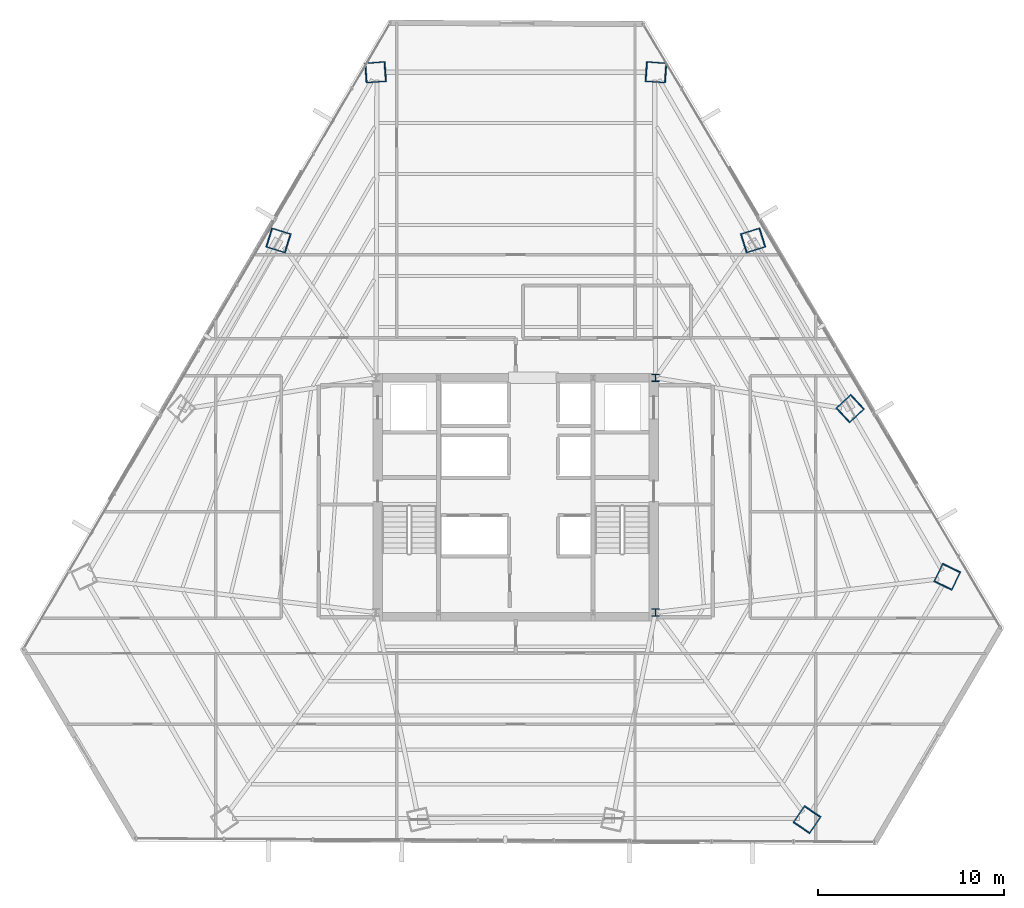
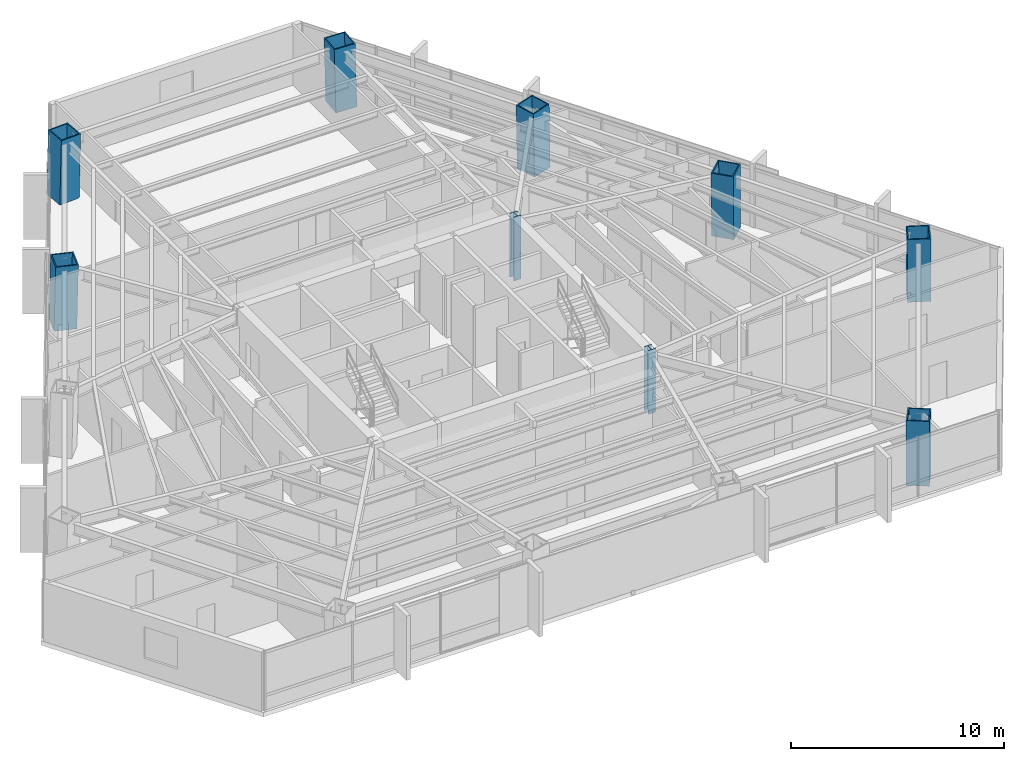
# One storey, part 3 of 37: 9 columns.
"""IFC4 building model written with IfcOpenShell, lengths in metres."""

from ifc_helpers import new_model, si_unit, direction, frame, origin, origin_2d, place, context, subcontext, project, spatial, hollow_rectangle, i_section, extrude, source, transform, mapped, material, material_profile, profile_set, type_object, type_shapes, element, save


model = new_model("IFC4")

# Units and contexts
model_context = context("Model", 3, precision=1e-05, world=origin(), true_north=direction((0.0, 1.0)))
body_context = subcontext(model_context, "Body", "Model", "MODEL_VIEW")
ifc_project = project(units=[si_unit("LENGTHUNIT", "METRE"), si_unit("AREAUNIT", "SQUARE_METRE"), si_unit("VOLUMEUNIT", "CUBIC_METRE"), si_unit("PLANEANGLEUNIT", "RADIAN"), si_unit("MASSUNIT", "GRAM", prefix="KILO")], contexts=[model_context])

# Site, building, storey
site_placement = place(None, origin())
site = spatial("IfcSite", under=ifc_project, at=site_placement, CompositionType="ELEMENT")
building_placement = place(site_placement, origin())
building = spatial("IfcBuilding", under=site, at=building_placement, Name="Caelisora Broadcast Tower", CompositionType="ELEMENT")
storey_placement = place(building_placement, frame((0.0, 0.0, 101.75)))
storey = spatial("IfcBuildingStorey", under=building, at=storey_placement, Name="L26", CompositionType="ELEMENT", Elevation=101.75)

# Columns
ifc_material_1 = material(Name="Steel Grade 350 (AS/NZS 3679.2)", Category="steel")
ifc_material_profile_1 = material_profile(ifc_material_1, i_section(OverallWidth=0.39990234375, OverallDepth=0.39990234375, WebThickness=0.02001953125, FlangeThickness=0.031982421875, at=origin_2d()), Name="Steel Grade 350 (AS/NZS 3679.2)")
ifc_profile_set_1 = profile_set([ifc_material_profile_1], Name="Steel Grade 350 (AS/NZS 3679.2)")
column_type_1 = type_object("IfcColumnType", Name="CC02", PredefinedType="COLUMN", material=ifc_profile_set_1)
shared_shape_1 = source(origin(), body_context, "Body", "SweptSolid", [
    extrude(i_section(OverallWidth=0.39990234375, OverallDepth=0.39990234375, WebThickness=0.02001953125, FlangeThickness=0.031982421875, at=origin_2d()), origin(), (0.0, 0.0, 1.0), 3.64990234375),
])
type_shapes(column_type_1, [shared_shape_1])
for number, where, z_axis, x_axis, name in (
    (1, (45.5, 17.39990234375, 0.0), (0.0, 0.0, 1.0), (1.0, 0.0, 0.0), "L26 column CC02"),
    (2, (45.5, 30.0, 0.0), (0.0, 0.0, 1.0), (1.0, 0.0, 0.0), "L26 column CC02"),
):
    element("IfcColumn", number, at=place(storey_placement, frame(where, z_axis=z_axis, x_axis=x_axis)), inside=storey, type_object=column_type_1, Name=name, PredefinedType="COLUMN", context=body_context, shape_type="MappedRepresentation", body=[
        mapped(shared_shape_1, transform((0.0, 0.0, 0.0), scale=1.0)),
    ])
ifc_material_2 = material(Name="Steel Grade 350 L15 (AS/NZS 3678)", Category="steel")
ifc_material_profile_2 = material_profile(ifc_material_2, hollow_rectangle(XDim=1.10009765625, YDim=1.10009765625, WallThickness=0.06005859375, at=origin_2d()), Name="Steel Grade 350 L15 (AS/NZS 3678)")
ifc_profile_set_2 = profile_set([ifc_material_profile_2], Name="Steel Grade 350 L15 (AS/NZS 3678)")
column_type_2 = type_object("IfcColumnType", Name="MC03", PredefinedType="COLUMN", material=ifc_profile_set_2)
shared_shape_2 = source(origin(), body_context, "Body", "SweptSolid", [
    extrude(hollow_rectangle(XDim=1.10009765625, YDim=1.10009765625, WallThickness=0.06005859375, at=origin_2d()), origin(), (0.0, 0.0, 1.0), 3.65087890625),
])
for number, where, z_axis, x_axis, name in (
    (3, (45.540283203125, 46.402587890625, 0.0), (-0.023939589194, 0.001738629383, 0.999711895116), (-0.072434920849, -0.997373140926, 0.0), "L26 column MC03"),
    (4, (30.459716796875, 46.402587890625, 0.0), (0.023939589194, 0.001738629383, 0.999711895116), (-0.072434920849, 0.997373140926, 0.0), "L26 column MC03"),
    (5, (53.631103515625, 6.268798828125, 0.0), (0.013440967269, 0.019793663242, 0.999713734673), (-0.827290216258, 0.561774775229, 0.0), "L26 column MC03"),
    (6, (61.17138671875, 19.328857421875, 0.0), (-0.010431780378, -0.021599135014, 0.999712286273), (0.900476348161, -0.434904985489, 0.0), "L26 column MC03"),
):
    element("IfcColumn", number, at=place(storey_placement, frame(where, z_axis=z_axis, x_axis=x_axis)), inside=storey, type_object=column_type_2, Name=name, PredefinedType="COLUMN", context=body_context, shape_type="MappedRepresentation", body=[
        mapped(shared_shape_2, transform((0.0, 0.0, 0.0), scale=1.0)),
    ])
shared_shape_3 = source(origin(), body_context, "Body", "SweptSolid", [
    extrude(hollow_rectangle(XDim=1.10009765625, YDim=1.10009765625, WallThickness=0.06005859375, at=origin_2d()), origin(), (0.0, 0.0, 1.0), 3.650634765625),
])
type_shapes(column_type_2, [shared_shape_2, shared_shape_3])
for number, where, z_axis, x_axis, name in (
    (7, (25.24951171875, 37.3779296875, 0.0), (0.019393993486, -0.006018825565, 0.999793802119), (0.296399214872, 0.955064136811, 0.0), "L26 column MC03"),
    (8, (55.9609375, 28.353515625, 0.0), (-0.014913299626, -0.013843287097, 0.999792957015), (0.680325028146, -0.732910537568, 0.0), "L26 column MC03"),
    (9, (50.75048828125, 37.3779296875, 0.0), (-0.019393993486, -0.006018825565, 0.999793802119), (0.296399214872, -0.955064136811, 0.0), "L26 column MC03"),
):
    element("IfcColumn", number, at=place(storey_placement, frame(where, z_axis=z_axis, x_axis=x_axis)), inside=storey, type_object=column_type_2, Name=name, PredefinedType="COLUMN", context=body_context, shape_type="MappedRepresentation", body=[
        mapped(shared_shape_3, transform((0.0, 0.0, 0.0), scale=1.0)),
    ])

save(model, "model.ifc")
